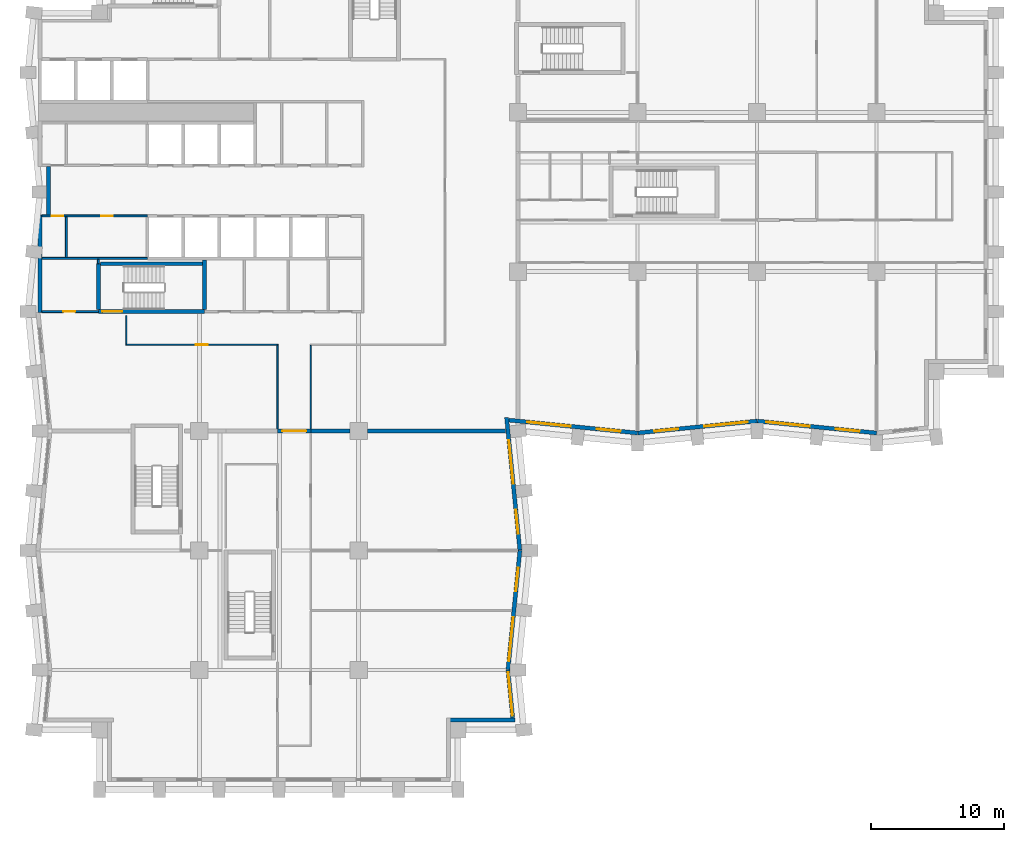
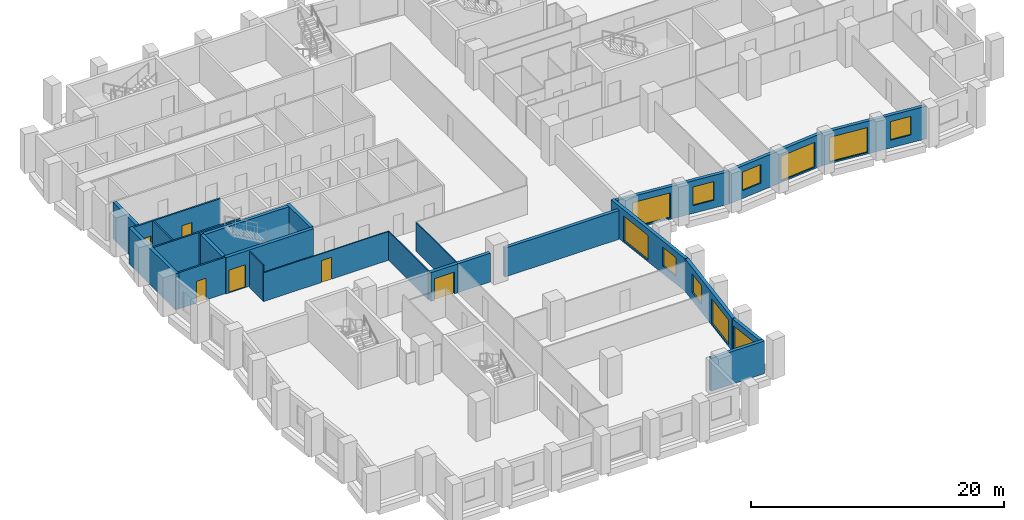
# One storey, part 4 of 11: 25 walls, 11 windows, 6 doors, 17 openings.
"""IFC4 building model written with IfcOpenShell, lengths in metres."""

from ifc_helpers import new_model, si_unit, direction, frame, frame_2d, origin, place, context, subcontext, project, spatial, rectangle, extrude, material, layer, layer_set, type_object, element, fill, save


model = new_model("IFC4")

# Units and contexts
model_context = context("Model", 3, precision=1e-05, world=origin(), true_north=direction((0.0, 1.0)))
body_context = subcontext(model_context, "Body", "Model", "MODEL_VIEW")
ifc_project = project(units=[si_unit("LENGTHUNIT", "METRE"), si_unit("AREAUNIT", "SQUARE_METRE"), si_unit("VOLUMEUNIT", "CUBIC_METRE"), si_unit("PLANEANGLEUNIT", "RADIAN"), si_unit("MASSUNIT", "GRAM", prefix="KILO")], contexts=[model_context])

# Site, building, storey
site_placement = place(None, origin())
site = spatial("IfcSite", under=ifc_project, at=site_placement, CompositionType="ELEMENT")
building_placement = place(site_placement, origin())
building = spatial("IfcBuilding", under=site, at=building_placement, Name="Brondeck Convention Tower", CompositionType="ELEMENT")
storey_placement = place(building_placement, frame((0.0, 0.0, 96.10009765625)))
storey = spatial("IfcBuildingStorey", under=building, at=storey_placement, Name="L22", CompositionType="ELEMENT", Elevation=96.10009765625)

# Wall, opening, door
ifc_material_1 = material(Name="Concrete compartment wall C30/37", Category="concrete")
ifc_layer_1 = layer(ifc_material_1, 0.300048828125)
ifc_layer_set_1 = layer_set([ifc_layer_1], Name="Compartment wall 300")
wall_type_1 = type_object("IfcWallType", Name="Compartment wall 300", PredefinedType="PARTITIONING", material=ifc_layer_set_1)
wall_1_placement = place(storey_placement, frame((20.39990234375, 27.0, 0.0), z_axis=(0.0, 0.0, 1.0), x_axis=(-1.0, 0.0, 0.0)))
wall_1 = element("IfcWall", 1, at=wall_1_placement, inside=storey, type_object=wall_type_1, Name="FLR-L22-W020", PredefinedType="PARTITIONING", context=body_context, shape_type="SweptSolid", body=[
    extrude(rectangle(XDim=2.5, YDim=0.300048828125, at=frame_2d((1.25, 0.0))), origin(), (0.0, 0.0, 1.0), 2.77978515625),
])
opening_1_placement = place(wall_1_placement, frame((0.35009765625, 0.0, 0.0)))
opening_1 = element("IfcOpeningElement", 2, at=opening_1_placement, cuts=wall_1, Name="Opening OF-A-024", PredefinedType="OPENING", context=body_context, shape_type="SweptSolid", body=[
    extrude(rectangle(XDim=1.800048828125, YDim=2.10009765625, at=frame_2d((0.89990234375, 1.050048828125))), frame((0.0, 0.159912109375, 0.0), z_axis=(0.0, -1.0, 0.0), x_axis=(1.0, 0.0, 0.0)), (0.0, 0.0, 1.0), 0.320068359375),
])
ifc_material_2 = material(Name="Steel fire door pair", Category="steel")
door_type_1 = type_object("IfcDoorType", Name="Fire door pair 1800", OperationType="DOUBLE_DOOR_SINGLE_SWING", PredefinedType="DOOR", material=ifc_material_2)
door_1_placement = place(opening_1_placement, origin())
door_1 = element("IfcDoor", 3, at=door_1_placement, inside=storey, type_object=door_type_1, Name="Door OF-A-024", OperationType="DOUBLE_DOOR_SINGLE_SWING", OverallHeight=2.10009765625, OverallWidth=1.800048828125, PredefinedType="DOOR", context=body_context, shape_type="SweptSolid", body=[
    extrude(rectangle(XDim=1.800048828125, YDim=2.10009765625, at=frame_2d((0.89990234375, 1.050048828125))), frame((0.0, 0.02490234375, 0.0), z_axis=(0.0, -1.0, 0.0), x_axis=(1.0, 0.0, 0.0)), (0.0, 0.0, 1.0), 0.050048828125),
])
fill(opening_1, door_1)

# Walls
wall_2_placement = place(storey_placement, frame((20.39990234375, 27.0, 0.0), z_axis=(0.0, 0.0, 1.0), x_axis=(1.0, 0.0, 0.0)))
element("IfcWall", 4, at=wall_2_placement, inside=storey, type_object=wall_type_1, Name="FLR-L22-W021", PredefinedType="PARTITIONING", context=body_context, shape_type="SweptSolid", body=[
    extrude(rectangle(XDim=2.945068359375, YDim=0.300048828125, at=frame_2d((1.47265625, 0.0))), origin(), (0.0, 0.0, 1.0), 2.77978515625),
])
wall_3_placement = place(storey_placement, frame((24.655029296875, 27.0, 0.0), z_axis=(0.0, 0.0, 1.0), x_axis=(1.0, 0.0, 0.0)))
element("IfcWall", 5, at=wall_3_placement, inside=storey, type_object=wall_type_1, Name="FLR-L22-W022", PredefinedType="PARTITIONING", context=body_context, shape_type="SweptSolid", body=[
    extrude(rectangle(XDim=10.42041015625, YDim=0.300048828125, at=frame_2d((5.210205078125, 0.0))), origin(), (0.0, 0.0, 1.0), 2.77978515625),
])
ifc_material_3 = material(Name="Concrete C70/85", Category="concrete")
ifc_layer_2 = layer(ifc_material_3, 0.300048828125)
ifc_layer_set_2 = layer_set([ifc_layer_2], Name="Core outer wall 300 Concrete C70/85")
wall_type_2 = type_object("IfcWallType", Name="Core outer wall 300 Concrete C70/85", PredefinedType="SHEAR", material=ifc_layer_set_2)
wall_4_placement = place(storey_placement, frame((0.0, 35.925048828125, 0.0), z_axis=(0.0, 0.0, 1.0), x_axis=(0.0, 1.0, 0.0)))
element("IfcWall", 6, at=wall_4_placement, inside=storey, type_object=wall_type_2, Name="L22 core wall", PredefinedType="SHEAR", context=body_context, shape_type="SweptSolid", body=[
    extrude(rectangle(XDim=7.349853515625, YDim=0.300048828125, at=frame_2d((3.6748046875, 0.0))), origin(), (0.0, 0.0, 1.0), 3.5),
])
wall_5_placement = place(storey_placement, frame((0.64990234375, 43.27490234375, 0.0), z_axis=(0.0, 0.0, 1.0), x_axis=(0.0, 1.0, 0.0)))
element("IfcWall", 7, at=wall_5_placement, inside=storey, type_object=wall_type_2, Name="L22 core wall", PredefinedType="SHEAR", context=body_context, shape_type="SweptSolid", body=[
    extrude(rectangle(XDim=3.650146484375, YDim=0.300048828125, at=frame_2d((1.8251953125, 0.0))), origin(), (0.0, 0.0, 1.0), 3.5),
])

# Wall, opening, door
ifc_material_4 = material(Name="Fire-rated gypsum board partition")
ifc_layer_3 = layer(ifc_material_4, 0.14990234375)
ifc_layer_set_3 = layer_set([ifc_layer_3], Name="Core partition 150 EI 60")
wall_type_3 = type_object("IfcWallType", Name="Core partition 150 EI 60", PredefinedType="PARTITIONING", material=ifc_layer_set_3)
wall_6_placement = place(storey_placement, frame((0.14990234375, 36.0, 0.0), z_axis=(0.0, 0.0, 1.0), x_axis=(1.0, 0.0, 0.0)))
wall_6 = element("IfcWall", 8, at=wall_6_placement, inside=storey, type_object=wall_type_3, Name="L22 core wall", PredefinedType="PARTITIONING", context=body_context, shape_type="SweptSolid", body=[
    extrude(rectangle(XDim=4.25, YDim=0.14990234375, at=frame_2d((2.125, 0.0))), origin(), (0.0, 0.0, 1.0), 3.5),
])
opening_2_placement = place(wall_6_placement, frame((1.60009765625, 0.0, 0.0)))
opening_2 = element("IfcOpeningElement", 9, at=opening_2_placement, cuts=wall_6, Name="Opening C14-07", PredefinedType="OPENING", context=body_context, shape_type="SweptSolid", body=[
    extrude(rectangle(XDim=0.89990234375, YDim=2.10009765625, at=frame_2d((0.449951171875, 1.050048828125))), frame((0.0, 0.0849609375, 0.0), z_axis=(0.0, -1.0, 0.0), x_axis=(1.0, 0.0, 0.0)), (0.0, 0.0, 1.0), 0.169921875),
])
ifc_material_5 = material(Name="Steel fire door", Category="steel")
door_type_2 = type_object("IfcDoorType", Name="Room door 900x2100 EI 60", OperationType="NOTDEFINED", PredefinedType="DOOR", material=ifc_material_5)
door_2_placement = place(opening_2_placement, origin())
door_2 = element("IfcDoor", 10, at=door_2_placement, inside=storey, type_object=door_type_2, Name="L22 Room door FRW-1", OperationType="SINGLE_SWING_LEFT", OverallHeight=2.10009765625, OverallWidth=0.89990234375, PredefinedType="DOOR", context=body_context, shape_type="SweptSolid", body=[
    extrude(rectangle(XDim=0.89990234375, YDim=2.10009765625, at=frame_2d((0.449951171875, 1.050048828125))), frame((0.0, 0.02490234375, 0.0), z_axis=(0.0, -1.0, 0.0), x_axis=(1.0, 0.0, 0.0)), (0.0, 0.0, 1.0), 0.050048828125),
])
fill(opening_2, door_2)

# Wall
wall_7_placement = place(storey_placement, frame((0.14990234375, 40.0, 0.0), z_axis=(0.0, 0.0, 1.0), x_axis=(1.0, 0.0, 0.0)))
element("IfcWall", 11, at=wall_7_placement, inside=storey, type_object=wall_type_3, Name="L22 core wall", PredefinedType="PARTITIONING", context=body_context, shape_type="SweptSolid", body=[
    extrude(rectangle(XDim=7.9501953125, YDim=0.14990234375, at=frame_2d((3.97509765625, 0.0))), origin(), (0.0, 0.0, 1.0), 3.5),
])

# Wall, openings, doors
wall_8_placement = place(storey_placement, frame((0.14990234375, 43.199951171875, 0.0), z_axis=(0.0, 0.0, 1.0), x_axis=(1.0, 0.0, 0.0)))
wall_8 = element("IfcWall", 12, at=wall_8_placement, inside=storey, type_object=wall_type_3, Name="L22 core wall", PredefinedType="PARTITIONING", context=body_context, shape_type="SweptSolid", body=[
    extrude(rectangle(XDim=7.9501953125, YDim=0.14990234375, at=frame_2d((3.97509765625, 0.0))), origin(), (0.0, 0.0, 1.0), 3.5),
])
opening_3_placement = place(wall_8_placement, frame((0.72509765625, 0.0, 0.0)))
opening_3 = element("IfcOpeningElement", 13, at=opening_3_placement, cuts=wall_8, Name="Opening C14-12", PredefinedType="OPENING", context=body_context, shape_type="SweptSolid", body=[
    extrude(rectangle(XDim=0.89990234375, YDim=2.10009765625, at=frame_2d((0.449951171875, 1.050048828125))), frame((0.0, 0.0849609375, 0.0), z_axis=(0.0, -1.0, 0.0), x_axis=(1.0, 0.0, 0.0)), (0.0, 0.0, 1.0), 0.169921875),
])
opening_4_placement = place(wall_8_placement, frame((4.449951171875, 0.0, 0.0)))
opening_4 = element("IfcOpeningElement", 14, at=opening_4_placement, cuts=wall_8, Name="Opening C14-13", PredefinedType="OPENING", context=body_context, shape_type="SweptSolid", body=[
    extrude(rectangle(XDim=0.89990234375, YDim=2.10009765625, at=frame_2d((0.449951171875, 1.050048828125))), frame((0.0, 0.0849609375, 0.0), z_axis=(0.0, -1.0, 0.0), x_axis=(1.0, 0.0, 0.0)), (0.0, 0.0, 1.0), 0.169921875),
])
door_3_placement = place(opening_3_placement, origin())
door_3 = element("IfcDoor", 15, at=door_3_placement, inside=storey, type_object=door_type_2, Name="L22 Room door FZ-S-0-1", OperationType="SINGLE_SWING_LEFT", OverallHeight=2.10009765625, OverallWidth=0.89990234375, PredefinedType="DOOR", context=body_context, shape_type="SweptSolid", body=[
    extrude(rectangle(XDim=0.89990234375, YDim=2.10009765625, at=frame_2d((0.449951171875, 1.050048828125))), frame((0.0, 0.02490234375, 0.0), z_axis=(0.0, -1.0, 0.0), x_axis=(1.0, 0.0, 0.0)), (0.0, 0.0, 1.0), 0.050048828125),
])
fill(opening_3, door_3)
door_4_placement = place(opening_4_placement, origin())
door_4 = element("IfcDoor", 16, at=door_4_placement, inside=storey, type_object=door_type_2, Name="L22 Room door FZ-S-0-2", OperationType="SINGLE_SWING_RIGHT", OverallHeight=2.10009765625, OverallWidth=0.89990234375, PredefinedType="DOOR", context=body_context, shape_type="SweptSolid", body=[
    extrude(rectangle(XDim=0.89990234375, YDim=2.10009765625, at=frame_2d((0.449951171875, 1.050048828125))), frame((0.0, 0.02490234375, 0.0), z_axis=(0.0, -1.0, 0.0), x_axis=(1.0, 0.0, 0.0)), (0.0, 0.0, 1.0), 0.050048828125),
])
fill(opening_4, door_4)

# Walls
wall_9_placement = place(storey_placement, frame((2.0, 40.074951171875, 0.0), z_axis=(0.0, 0.0, 1.0), x_axis=(0.0, 1.0, 0.0)))
element("IfcWall", 17, at=wall_9_placement, inside=storey, type_object=wall_type_3, Name="L22 core wall", PredefinedType="PARTITIONING", context=body_context, shape_type="SweptSolid", body=[
    extrude(rectangle(XDim=3.050048828125, YDim=0.14990234375, at=frame_2d((1.52490234375, 0.0))), origin(), (0.0, 0.0, 1.0), 3.5),
])
wall_10_placement = place(storey_placement, frame((4.39990234375, 39.60009765625, 0.0), z_axis=(0.0, 0.0, 1.0), x_axis=(0.0, 1.0, 0.0)))
element("IfcWall", 18, at=wall_10_placement, inside=storey, type_object=wall_type_3, Name="L22 core wall", PredefinedType="PARTITIONING", context=body_context, shape_type="SweptSolid", body=[
    extrude(rectangle(XDim=0.324951171875, YDim=0.14990234375, at=frame_2d((0.16259765625, 0.0))), origin(), (0.0, 0.0, 1.0), 3.5),
])
ifc_material_6 = material(Name="Precast concrete C50/60 bronze finish", Category="concrete")
ifc_layer_4 = layer(ifc_material_6, 0.070068359375, Name="Bronze precast facing")
ifc_material_7 = material(Name="Mineral wool")
ifc_layer_5 = layer(ifc_material_7, 0.159912109375, Name="Insulation")
ifc_material_8 = material(Name="Concrete C35/45", Category="concrete")
ifc_layer_6 = layer(ifc_material_8, 0.070068359375, Name="Backing")
ifc_layer_set_4 = layer_set([ifc_layer_4, ifc_layer_5, ifc_layer_6], Name="External infill wall, precast concrete C50/60 bronze facing")
wall_type_4 = type_object("IfcWallType", Name="External infill wall, precast concrete C50/60 bronze facing", PredefinedType="SOLIDWALL", material=ifc_layer_set_4)
wall_11_placement = place(storey_placement, frame((35.787109375, 5.25, 0.0), z_axis=(0.0, 0.0, 1.0), x_axis=(-1.0, 0.0, 0.0)))
element("IfcWall", 19, at=wall_11_placement, inside=storey, type_object=wall_type_4, Name="ENV-EW-L22-P0-NC-SEB0-02", PredefinedType="SOLIDWALL", context=body_context, shape_type="SweptSolid", body=[
    extrude(rectangle(XDim=4.88720703125, YDim=0.300048828125, at=frame_2d((2.443603515625, 0.0))), origin(), (0.0, 0.0, 1.0), 3.14990234375),
])

# Wall, opening, window
wall_12_placement = place(storey_placement, frame((35.244873046875, 9.014892578125, 0.0), z_axis=(0.0, 0.0, 1.0), x_axis=(0.099470401798, -0.995040521369, 0.0)))
wall_12 = element("IfcWall", 20, at=wall_12_placement, inside=storey, type_object=wall_type_4, Name="ENV-EW-L22-P0-B-E-04", PredefinedType="SOLIDWALL", context=body_context, shape_type="SweptSolid", body=[
    extrude(rectangle(XDim=3.627685546875, YDim=0.300048828125, at=frame_2d((1.81396484375, 0.0))), origin(), (0.0, 0.0, 1.0), 3.14990234375),
])
opening_5_placement = place(wall_12_placement, frame((0.177734375, 0.0, 0.14990234375)))
opening_5 = element("IfcOpeningElement", 21, at=opening_5_placement, cuts=wall_12, Name="Opening W9", PredefinedType="OPENING", context=body_context, shape_type="SweptSolid", body=[
    extrude(rectangle(XDim=3.300048828125, YDim=2.39990234375, at=frame_2d((1.64990234375, 1.199951171875))), frame((0.0, 0.159912109375, 0.0), z_axis=(0.0, -1.0, 0.0), x_axis=(1.0, 0.0, 0.0)), (0.0, 0.0, 1.0), 0.320068359375),
])
ifc_material_9 = material(Name="Bronze tinted double glazing", Category="glass")
window_type_1 = type_object("IfcWindowType", Name="Glazed flute window, bronze tinted", PartitioningType="SINGLE_PANEL", PredefinedType="WINDOW", material=ifc_material_9)
window_1_placement = place(opening_5_placement, origin())
window_1 = element("IfcWindow", 22, at=window_1_placement, inside=storey, type_object=window_type_1, Name="ENV-WN-L22-P0-B-E-04", OverallHeight=2.39990234375, OverallWidth=3.300048828125, PartitioningType="SINGLE_PANEL", PredefinedType="WINDOW", context=body_context, shape_type="SweptSolid", body=[
    extrude(rectangle(XDim=3.300048828125, YDim=2.39990234375, at=frame_2d((1.64990234375, 1.199951171875))), frame((0.0, 0.030029296875, 0.0), z_axis=(0.0, -1.0, 0.0), x_axis=(1.0, 0.0, 0.0)), (0.0, 0.0, 1.0), 0.06005859375),
])
fill(opening_5, window_1)

# Wall, openings, windows
wall_13_placement = place(storey_placement, frame((36.147705078125, 18.014892578125, 0.0), z_axis=(0.0, 0.0, 1.0), x_axis=(-0.099495688264, -0.995037993253, 0.0)))
wall_13 = element("IfcWall", 23, at=wall_13_placement, inside=storey, type_object=wall_type_4, Name="ENV-EW-L22-P0-B-E-03", PredefinedType="SOLIDWALL", context=body_context, shape_type="SweptSolid", body=[
    extrude(rectangle(XDim=9.030029296875, YDim=0.300048828125, at=frame_2d((4.51513671875, 0.0))), origin(), (0.0, 0.0, 1.0), 3.14990234375),
])
opening_6_placement = place(wall_13_placement, frame((1.30126953125, 0.0, 0.75)))
opening_6 = element("IfcOpeningElement", 24, at=opening_6_placement, cuts=wall_13, Name="Opening W10", PredefinedType="OPENING", context=body_context, shape_type="SweptSolid", body=[
    extrude(rectangle(XDim=1.800048828125, YDim=1.800048828125, at=frame_2d((0.89990234375, 0.89990234375))), frame((0.0, 0.159912109375, 0.0), z_axis=(0.0, -1.0, 0.0), x_axis=(1.0, 0.0, 0.0)), (0.0, 0.0, 1.0), 0.320068359375),
])
opening_7_placement = place(wall_13_placement, frame((5.073486328125, 0.0, 0.14990234375)))
opening_7 = element("IfcOpeningElement", 25, at=opening_7_placement, cuts=wall_13, Name="Opening W9", PredefinedType="OPENING", context=body_context, shape_type="SweptSolid", body=[
    extrude(rectangle(XDim=3.300048828125, YDim=2.39990234375, at=frame_2d((1.64990234375, 1.199951171875))), frame((0.0, 0.159912109375, 0.0), z_axis=(0.0, -1.0, 0.0), x_axis=(1.0, 0.0, 0.0)), (0.0, 0.0, 1.0), 0.320068359375),
])
window_2_placement = place(opening_7_placement, origin())
window_2 = element("IfcWindow", 26, at=window_2_placement, inside=storey, type_object=window_type_1, Name="ENV-WN-L22-P0-B-E-03", OverallHeight=2.39990234375, OverallWidth=3.300048828125, PartitioningType="SINGLE_PANEL", PredefinedType="WINDOW", context=body_context, shape_type="SweptSolid", body=[
    extrude(rectangle(XDim=3.300048828125, YDim=2.39990234375, at=frame_2d((1.64990234375, 1.199951171875))), frame((0.0, 0.030029296875, 0.0), z_axis=(0.0, -1.0, 0.0), x_axis=(1.0, 0.0, 0.0)), (0.0, 0.0, 1.0), 0.06005859375),
])
fill(opening_7, window_2)
window_type_2 = type_object("IfcWindowType", Name="Punched window, bronze tinted", PartitioningType="SINGLE_PANEL", PredefinedType="WINDOW", material=ifc_material_9)
window_3_placement = place(opening_6_placement, origin())
window_3 = element("IfcWindow", 27, at=window_3_placement, inside=storey, type_object=window_type_2, Name="ENV-WN-L22-P0-B-E-02", OverallHeight=1.800048828125, OverallWidth=1.800048828125, PartitioningType="SINGLE_PANEL", PredefinedType="WINDOW", context=body_context, shape_type="SweptSolid", body=[
    extrude(rectangle(XDim=1.800048828125, YDim=1.800048828125, at=frame_2d((0.89990234375, 0.89990234375))), frame((0.0, 0.030029296875, 0.0), z_axis=(0.0, -1.0, 0.0), x_axis=(1.0, 0.0, 0.0)), (0.0, 0.0, 1.0), 0.06005859375),
])
fill(opening_6, window_3)

wall_14_placement = place(storey_placement, frame((35.144287109375, 28.02001953125, 0.0), z_axis=(0.0, 0.0, 1.0), x_axis=(0.099503719021, -0.99503719021, 0.0)))
wall_14 = element("IfcWall", 28, at=wall_14_placement, inside=storey, type_object=wall_type_4, Name="ENV-EW-L22-P0-B-E-01", PredefinedType="SOLIDWALL", context=body_context, shape_type="SweptSolid", body=[
    extrude(rectangle(XDim=10.0400390625, YDim=0.300048828125, at=frame_2d((5.02001953125, 0.0))), origin(), (0.0, 0.0, 1.0), 3.14990234375),
])
opening_8_placement = place(wall_14_placement, frame((1.711181640625, 0.0, 0.14990234375)))
opening_8 = element("IfcOpeningElement", 29, at=opening_8_placement, cuts=wall_14, Name="Opening W9", PredefinedType="OPENING", context=body_context, shape_type="SweptSolid", body=[
    extrude(rectangle(XDim=3.300048828125, YDim=2.39990234375, at=frame_2d((1.64990234375, 1.199951171875))), frame((0.0, 0.159912109375, 0.0), z_axis=(0.0, -1.0, 0.0), x_axis=(1.0, 0.0, 0.0)), (0.0, 0.0, 1.0), 0.320068359375),
])
opening_9_placement = place(wall_14_placement, frame((6.983642578125, 0.0, 0.75)))
opening_9 = element("IfcOpeningElement", 30, at=opening_9_placement, cuts=wall_14, Name="Opening W10", PredefinedType="OPENING", context=body_context, shape_type="SweptSolid", body=[
    extrude(rectangle(XDim=1.800048828125, YDim=1.800048828125, at=frame_2d((0.89990234375, 0.89990234375))), frame((0.0, 0.159912109375, 0.0), z_axis=(0.0, -1.0, 0.0), x_axis=(1.0, 0.0, 0.0)), (0.0, 0.0, 1.0), 0.320068359375),
])
window_4_placement = place(opening_8_placement, origin())
window_4 = element("IfcWindow", 31, at=window_4_placement, inside=storey, type_object=window_type_1, Name="ENV-WN-L22-P0-B-E-00", OverallHeight=2.39990234375, OverallWidth=3.300048828125, PartitioningType="SINGLE_PANEL", PredefinedType="WINDOW", context=body_context, shape_type="SweptSolid", body=[
    extrude(rectangle(XDim=3.300048828125, YDim=2.39990234375, at=frame_2d((1.64990234375, 1.199951171875))), frame((0.0, 0.030029296875, 0.0), z_axis=(0.0, -1.0, 0.0), x_axis=(1.0, 0.0, 0.0)), (0.0, 0.0, 1.0), 0.06005859375),
])
fill(opening_8, window_4)
window_5_placement = place(opening_9_placement, origin())
window_5 = element("IfcWindow", 32, at=window_5_placement, inside=storey, type_object=window_type_2, Name="ENV-WN-L22-P0-B-E-01", OverallHeight=1.800048828125, OverallWidth=1.800048828125, PartitioningType="SINGLE_PANEL", PredefinedType="WINDOW", context=body_context, shape_type="SweptSolid", body=[
    extrude(rectangle(XDim=1.800048828125, YDim=1.800048828125, at=frame_2d((0.89990234375, 0.89990234375))), frame((0.0, 0.030029296875, 0.0), z_axis=(0.0, -1.0, 0.0), x_axis=(1.0, 0.0, 0.0)), (0.0, 0.0, 1.0), 0.06005859375),
])
fill(opening_9, window_5)

wall_15_placement = place(storey_placement, frame((45.014892578125, 26.852294921875, 0.0), z_axis=(0.0, 0.0, 1.0), x_axis=(-0.995037438546, 0.099501235631, 0.0)))
wall_15 = element("IfcWall", 33, at=wall_15_placement, inside=storey, type_object=wall_type_4, Name="ENV-EW-L22-P0-A-S-00", PredefinedType="SOLIDWALL", context=body_context, shape_type="SweptSolid", body=[
    extrude(rectangle(XDim=9.733642578125, YDim=0.300048828125, at=frame_2d((4.86669921875, 0.0))), origin(), (0.0, 0.0, 1.0), 3.14990234375),
])
opening_10_placement = place(wall_15_placement, frame((1.30126953125, 0.0, 0.75)))
opening_10 = element("IfcOpeningElement", 34, at=opening_10_placement, cuts=wall_15, Name="Opening W10", PredefinedType="OPENING", context=body_context, shape_type="SweptSolid", body=[
    extrude(rectangle(XDim=1.800048828125, YDim=1.800048828125, at=frame_2d((0.89990234375, 0.89990234375))), frame((0.0, 0.159912109375, 0.0), z_axis=(0.0, -1.0, 0.0), x_axis=(1.0, 0.0, 0.0)), (0.0, 0.0, 1.0), 0.320068359375),
])
opening_11_placement = place(wall_15_placement, frame((5.073486328125, 0.0, 0.14990234375)))
opening_11 = element("IfcOpeningElement", 35, at=opening_11_placement, cuts=wall_15, Name="Opening W9", PredefinedType="OPENING", context=body_context, shape_type="SweptSolid", body=[
    extrude(rectangle(XDim=3.300048828125, YDim=2.39990234375, at=frame_2d((1.64990234375, 1.199951171875))), frame((0.0, 0.159912109375, 0.0), z_axis=(0.0, -1.0, 0.0), x_axis=(1.0, 0.0, 0.0)), (0.0, 0.0, 1.0), 0.320068359375),
])
window_6_placement = place(opening_11_placement, origin())
window_6 = element("IfcWindow", 36, at=window_6_placement, inside=storey, type_object=window_type_1, Name="ENV-WN-L22-P0-A-S-00", OverallHeight=2.39990234375, OverallWidth=3.300048828125, PartitioningType="SINGLE_PANEL", PredefinedType="WINDOW", context=body_context, shape_type="SweptSolid", body=[
    extrude(rectangle(XDim=3.300048828125, YDim=2.39990234375, at=frame_2d((1.64990234375, 1.199951171875))), frame((0.0, 0.030029296875, 0.0), z_axis=(0.0, -1.0, 0.0), x_axis=(1.0, 0.0, 0.0)), (0.0, 0.0, 1.0), 0.06005859375),
])
fill(opening_11, window_6)
window_7_placement = place(opening_10_placement, origin())
window_7 = element("IfcWindow", 37, at=window_7_placement, inside=storey, type_object=window_type_2, Name="ENV-WN-L22-P0-A-S-01", OverallHeight=1.800048828125, OverallWidth=1.800048828125, PartitioningType="SINGLE_PANEL", PredefinedType="WINDOW", context=body_context, shape_type="SweptSolid", body=[
    extrude(rectangle(XDim=1.800048828125, YDim=1.800048828125, at=frame_2d((0.89990234375, 0.89990234375))), frame((0.0, 0.030029296875, 0.0), z_axis=(0.0, -1.0, 0.0), x_axis=(1.0, 0.0, 0.0)), (0.0, 0.0, 1.0), 0.06005859375),
])
fill(opening_10, window_7)

wall_16_placement = place(storey_placement, frame((54.014892578125, 27.755126953125, 0.0), z_axis=(0.0, 0.0, 1.0), x_axis=(-0.995037993253, -0.099495688264, 0.0)))
wall_16 = element("IfcWall", 38, at=wall_16_placement, inside=storey, type_object=wall_type_4, Name="ENV-EW-L22-P0-A-S-02", PredefinedType="SOLIDWALL", context=body_context, shape_type="SweptSolid", body=[
    extrude(rectangle(XDim=9.030029296875, YDim=0.300048828125, at=frame_2d((4.51513671875, 0.0))), origin(), (0.0, 0.0, 1.0), 3.14990234375),
])
opening_12_placement = place(wall_16_placement, frame((0.701171875, 0.0, 0.14990234375)))
opening_12 = element("IfcOpeningElement", 39, at=opening_12_placement, cuts=wall_16, Name="Opening W9", PredefinedType="OPENING", context=body_context, shape_type="SweptSolid", body=[
    extrude(rectangle(XDim=3.300048828125, YDim=2.39990234375, at=frame_2d((1.64990234375, 1.199951171875))), frame((0.0, 0.159912109375, 0.0), z_axis=(0.0, -1.0, 0.0), x_axis=(1.0, 0.0, 0.0)), (0.0, 0.0, 1.0), 0.320068359375),
])
opening_13_placement = place(wall_16_placement, frame((5.9736328125, 0.0, 0.75)))
opening_13 = element("IfcOpeningElement", 40, at=opening_13_placement, cuts=wall_16, Name="Opening W10", PredefinedType="OPENING", context=body_context, shape_type="SweptSolid", body=[
    extrude(rectangle(XDim=1.800048828125, YDim=1.800048828125, at=frame_2d((0.89990234375, 0.89990234375))), frame((0.0, 0.159912109375, 0.0), z_axis=(0.0, -1.0, 0.0), x_axis=(1.0, 0.0, 0.0)), (0.0, 0.0, 1.0), 0.320068359375),
])
window_8_placement = place(opening_12_placement, origin())
window_8 = element("IfcWindow", 41, at=window_8_placement, inside=storey, type_object=window_type_1, Name="ENV-WN-L22-P0-A-S-03", OverallHeight=2.39990234375, OverallWidth=3.300048828125, PartitioningType="SINGLE_PANEL", PredefinedType="WINDOW", context=body_context, shape_type="SweptSolid", body=[
    extrude(rectangle(XDim=3.300048828125, YDim=2.39990234375, at=frame_2d((1.64990234375, 1.199951171875))), frame((0.0, 0.030029296875, 0.0), z_axis=(0.0, -1.0, 0.0), x_axis=(1.0, 0.0, 0.0)), (0.0, 0.0, 1.0), 0.06005859375),
])
fill(opening_12, window_8)
window_9_placement = place(opening_13_placement, origin())
window_9 = element("IfcWindow", 42, at=window_9_placement, inside=storey, type_object=window_type_2, Name="ENV-WN-L22-P0-A-S-02", OverallHeight=1.800048828125, OverallWidth=1.800048828125, PartitioningType="SINGLE_PANEL", PredefinedType="WINDOW", context=body_context, shape_type="SweptSolid", body=[
    extrude(rectangle(XDim=1.800048828125, YDim=1.800048828125, at=frame_2d((0.89990234375, 0.89990234375))), frame((0.0, 0.030029296875, 0.0), z_axis=(0.0, -1.0, 0.0), x_axis=(1.0, 0.0, 0.0)), (0.0, 0.0, 1.0), 0.06005859375),
])
fill(opening_13, window_9)

wall_17_placement = place(storey_placement, frame((63.014892578125, 26.852294921875, 0.0), z_axis=(0.0, 0.0, 1.0), x_axis=(-0.995037993253, 0.099495688264, 0.0)))
wall_17 = element("IfcWall", 43, at=wall_17_placement, inside=storey, type_object=wall_type_4, Name="ENV-EW-L22-P0-A-S-04", PredefinedType="SOLIDWALL", context=body_context, shape_type="SweptSolid", body=[
    extrude(rectangle(XDim=9.030029296875, YDim=0.300048828125, at=frame_2d((4.51513671875, 0.0))), origin(), (0.0, 0.0, 1.0), 3.14990234375),
])
opening_14_placement = place(wall_17_placement, frame((1.30126953125, 0.0, 0.75)))
opening_14 = element("IfcOpeningElement", 44, at=opening_14_placement, cuts=wall_17, Name="Opening W10", PredefinedType="OPENING", context=body_context, shape_type="SweptSolid", body=[
    extrude(rectangle(XDim=1.800048828125, YDim=1.800048828125, at=frame_2d((0.89990234375, 0.89990234375))), frame((0.0, 0.159912109375, 0.0), z_axis=(0.0, -1.0, 0.0), x_axis=(1.0, 0.0, 0.0)), (0.0, 0.0, 1.0), 0.320068359375),
])
opening_15_placement = place(wall_17_placement, frame((5.073486328125, 0.0, 0.14990234375)))
opening_15 = element("IfcOpeningElement", 45, at=opening_15_placement, cuts=wall_17, Name="Opening W9", PredefinedType="OPENING", context=body_context, shape_type="SweptSolid", body=[
    extrude(rectangle(XDim=3.300048828125, YDim=2.39990234375, at=frame_2d((1.64990234375, 1.199951171875))), frame((0.0, 0.159912109375, 0.0), z_axis=(0.0, -1.0, 0.0), x_axis=(1.0, 0.0, 0.0)), (0.0, 0.0, 1.0), 0.320068359375),
])
window_10_placement = place(opening_15_placement, origin())
window_10 = element("IfcWindow", 46, at=window_10_placement, inside=storey, type_object=window_type_1, Name="ENV-WN-L22-P0-A-S-04", OverallHeight=2.39990234375, OverallWidth=3.300048828125, PartitioningType="SINGLE_PANEL", PredefinedType="WINDOW", context=body_context, shape_type="SweptSolid", body=[
    extrude(rectangle(XDim=3.300048828125, YDim=2.39990234375, at=frame_2d((1.64990234375, 1.199951171875))), frame((0.0, 0.030029296875, 0.0), z_axis=(0.0, -1.0, 0.0), x_axis=(1.0, 0.0, 0.0)), (0.0, 0.0, 1.0), 0.06005859375),
])
fill(opening_15, window_10)
window_11_placement = place(opening_14_placement, origin())
window_11 = element("IfcWindow", 47, at=window_11_placement, inside=storey, type_object=window_type_2, Name="ENV-WN-L22-P0-A-S-05", OverallHeight=1.800048828125, OverallWidth=1.800048828125, PartitioningType="SINGLE_PANEL", PredefinedType="WINDOW", context=body_context, shape_type="SweptSolid", body=[
    extrude(rectangle(XDim=1.800048828125, YDim=1.800048828125, at=frame_2d((0.89990234375, 0.89990234375))), frame((0.0, 0.030029296875, 0.0), z_axis=(0.0, -1.0, 0.0), x_axis=(1.0, 0.0, 0.0)), (0.0, 0.0, 1.0), 0.06005859375),
])
fill(opening_14, window_11)

# Walls
ifc_material_10 = material(Name="Gypsum board partition on steel studs", Category="steel")
ifc_layer_7 = layer(ifc_material_10, 0.10009765625)
ifc_layer_set_5 = layer_set([ifc_layer_7], Name="Room partition 100")
wall_type_5 = type_object("IfcWallType", Name="Room partition 100", PredefinedType="PARTITIONING", material=ifc_layer_set_5)
for number, where, z_axis, x_axis, name in (
    (48, (17.89990234375, 27.169921875, 0.0), (0.0, 0.0, 1.0), (0.0, 1.0, 0.0), "FLR-L22-W023"),
    (49, (20.39990234375, 33.449951171875, 0.0), (0.0, 0.0, 1.0), (0.0, -1.0, 0.0), "FLR-L22-W025"),
):
    element("IfcWall", number, at=place(storey_placement, frame(where, z_axis=z_axis, x_axis=x_axis)), inside=storey, type_object=wall_type_5, Name=name, PredefinedType="PARTITIONING", context=body_context, shape_type="SweptSolid", body=[
        extrude(rectangle(XDim=6.280029296875, YDim=0.10009765625, at=frame_2d((3.14013671875, 0.0))), origin(), (0.0, 0.0, 1.0), 2.77978515625),
    ])

# Wall, opening, door
wall_18_placement = place(storey_placement, frame((17.949951171875, 33.5, 0.0), z_axis=(0.0, 0.0, 1.0), x_axis=(-1.0, 0.0, 0.0)))
wall_18 = element("IfcWall", 50, at=wall_18_placement, inside=storey, type_object=wall_type_5, Name="FLR-L22-W026", PredefinedType="PARTITIONING", context=body_context, shape_type="SweptSolid", body=[
    extrude(rectangle(XDim=11.5, YDim=0.10009765625, at=frame_2d((5.75, 0.0))), origin(), (0.0, 0.0, 1.0), 2.77978515625),
])
opening_16_placement = place(wall_18_placement, frame((5.300048828125, 0.0, 0.0)))
opening_16 = element("IfcOpeningElement", 51, at=opening_16_placement, cuts=wall_18, Name="Opening OF-A-022", PredefinedType="OPENING", context=body_context, shape_type="SweptSolid", body=[
    extrude(rectangle(XDim=0.89990234375, YDim=2.10009765625, at=frame_2d((0.449951171875, 1.050048828125))), frame((0.0, 0.06005859375, 0.0), z_axis=(0.0, -1.0, 0.0), x_axis=(1.0, 0.0, 0.0)), (0.0, 0.0, 1.0), 0.1201171875),
])
ifc_material_11 = material(Name="Solid timber door leaf", Category="wood")
door_type_3 = type_object("IfcDoorType", Name="Single door 900", OperationType="NOTDEFINED", PredefinedType="DOOR", material=ifc_material_11)
door_5_placement = place(opening_16_placement, origin())
door_5 = element("IfcDoor", 52, at=door_5_placement, inside=storey, type_object=door_type_3, Name="Door OF-A-022", OperationType="SINGLE_SWING_LEFT", OverallHeight=2.10009765625, OverallWidth=0.89990234375, PredefinedType="DOOR", context=body_context, shape_type="SweptSolid", body=[
    extrude(rectangle(XDim=0.89990234375, YDim=2.10009765625, at=frame_2d((0.449951171875, 1.050048828125))), frame((0.0, 0.02490234375, 0.0), z_axis=(0.0, -1.0, 0.0), x_axis=(1.0, 0.0, 0.0)), (0.0, 0.0, 1.0), 0.050048828125),
])
fill(opening_16, door_5)

# Wall
wall_19_placement = place(storey_placement, frame((6.5, 33.550048828125, 0.0), z_axis=(0.0, 0.0, 1.0), x_axis=(0.0, 1.0, 0.0)))
element("IfcWall", 53, at=wall_19_placement, inside=storey, type_object=wall_type_5, Name="FLR-L22-W028", PredefinedType="PARTITIONING", context=body_context, shape_type="SweptSolid", body=[
    extrude(rectangle(XDim=2.14990234375, YDim=0.10009765625, at=frame_2d((1.074951171875, 0.0))), origin(), (0.0, 0.0, 1.0), 3.47998046875),
])

# Wall, opening, door
ifc_layer_8 = layer(ifc_material_3, 0.300048828125)
ifc_layer_set_6 = layer_set([ifc_layer_8], Name="Stair enclosure wall 300 Concrete C70/85")
wall_type_6 = type_object("IfcWallType", Name="Stair enclosure wall 300 Concrete C70/85", PredefinedType="SHEAR", material=ifc_layer_set_6)
wall_20_placement = place(storey_placement, frame((4.39990234375, 36.0, 0.0), z_axis=(0.0, 0.0, 1.0), x_axis=(1.0, 0.0, 0.0)))
wall_20 = element("IfcWall", 54, at=wall_20_placement, inside=storey, type_object=wall_type_6, Name="L22 core wall", PredefinedType="SHEAR", context=body_context, shape_type="SweptSolid", body=[
    extrude(rectangle(XDim=8.0, YDim=0.300048828125, at=frame_2d((4.0, 0.0))), origin(), (0.0, 0.0, 1.0), 3.5),
])
opening_17_placement = place(wall_20_placement, frame((0.300048828125, 0.0, 0.0)))
opening_17 = element("IfcOpeningElement", 55, at=opening_17_placement, cuts=wall_20, Name="Opening C14-17", PredefinedType="OPENING", context=body_context, shape_type="SweptSolid", body=[
    extrude(rectangle(XDim=1.5, YDim=2.199951171875, at=frame_2d((0.75, 1.10009765625))), frame((0.0, 0.159912109375, 0.0), z_axis=(0.0, -1.0, 0.0), x_axis=(1.0, 0.0, 0.0)), (0.0, 0.0, 1.0), 0.320068359375),
])
door_type_4 = type_object("IfcDoorType", Name="Stair door 1500x2200 EI 90", OperationType="NOTDEFINED", PredefinedType="DOOR", material=ifc_material_5)
door_6_placement = place(opening_17_placement, origin())
door_6 = element("IfcDoor", 56, at=door_6_placement, inside=storey, type_object=door_type_4, Name="L22 Stair door ST-1", OperationType="SINGLE_SWING_RIGHT", OverallHeight=2.199951171875, OverallWidth=1.5, PredefinedType="DOOR", context=body_context, shape_type="SweptSolid", body=[
    extrude(rectangle(XDim=1.5, YDim=2.199951171875, at=frame_2d((0.75, 1.10009765625))), frame((0.0, 0.02490234375, 0.0), z_axis=(0.0, -1.0, 0.0), x_axis=(1.0, 0.0, 0.0)), (0.0, 0.0, 1.0), 0.050048828125),
])
fill(opening_17, door_6)

# Walls
wall_21_placement = place(storey_placement, frame((4.550048828125, 39.60009765625, 0.0), z_axis=(0.0, 0.0, 1.0), x_axis=(1.0, 0.0, 0.0)))
element("IfcWall", 57, at=wall_21_placement, inside=storey, type_object=wall_type_6, Name="L22 core wall", PredefinedType="SHEAR", context=body_context, shape_type="SweptSolid", body=[
    extrude(rectangle(XDim=7.699951171875, YDim=0.300048828125, at=frame_2d((3.85009765625, 0.0))), origin(), (0.0, 0.0, 1.0), 3.5),
])
wall_22_placement = place(storey_placement, frame((4.39990234375, 36.14990234375, 0.0), z_axis=(0.0, 0.0, 1.0), x_axis=(0.0, 1.0, 0.0)))
element("IfcWall", 58, at=wall_22_placement, inside=storey, type_object=wall_type_6, Name="L22 core wall", PredefinedType="SHEAR", context=body_context, shape_type="SweptSolid", body=[
    extrude(rectangle(XDim=3.4501953125, YDim=0.300048828125, at=frame_2d((1.72509765625, 0.0))), origin(), (0.0, 0.0, 1.0), 3.5),
])
wall_23_placement = place(storey_placement, frame((12.39990234375, 36.14990234375, 0.0), z_axis=(0.0, 0.0, 1.0), x_axis=(0.0, 1.0, 0.0)))
element("IfcWall", 59, at=wall_23_placement, inside=storey, type_object=wall_type_6, Name="L22 core wall", PredefinedType="SHEAR", context=body_context, shape_type="SweptSolid", body=[
    extrude(rectangle(XDim=3.72509765625, YDim=0.300048828125, at=frame_2d((1.862548828125, 0.0))), origin(), (0.0, 0.0, 1.0), 3.5),
])

save(model, "model.ifc")
